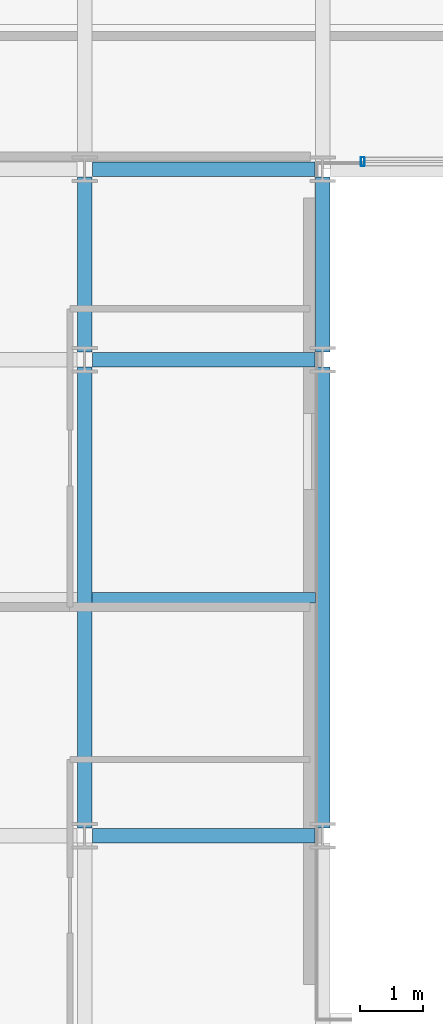
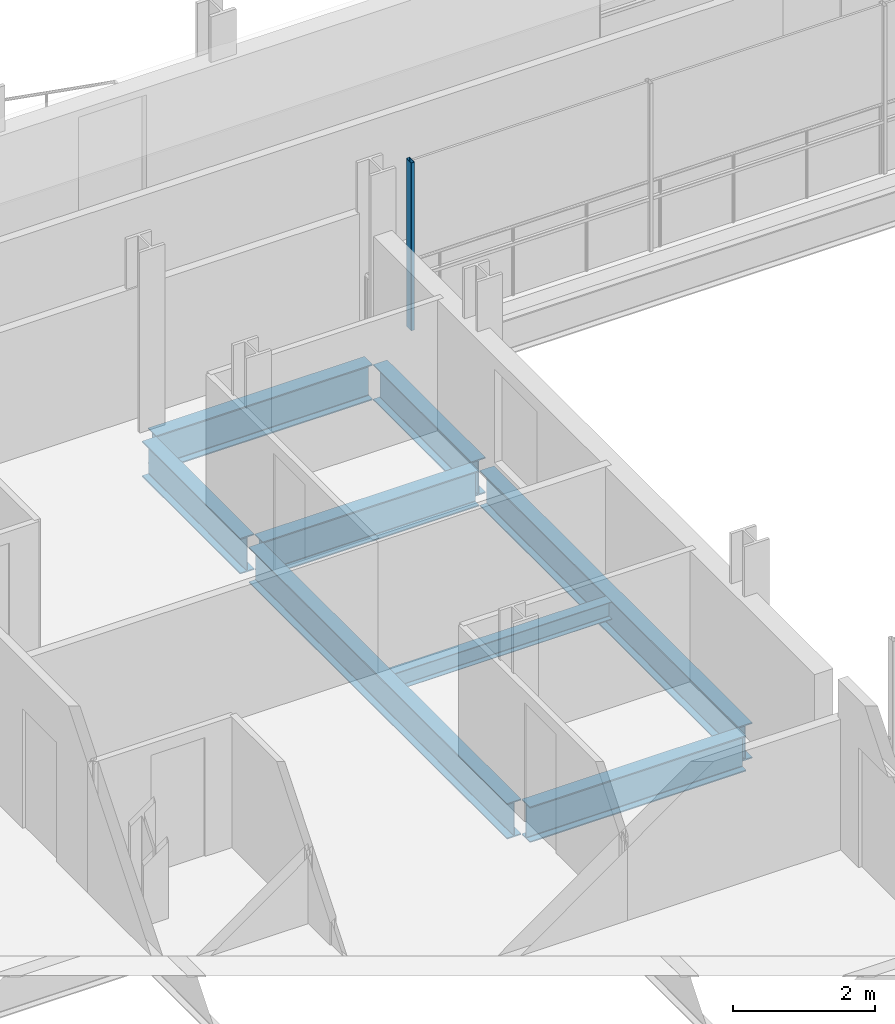
# One storey, part 8 of 39: 8 beams, 1 member, 1 element without a shape of its own.
"""IFC4 building model written with IfcOpenShell, lengths in metres."""

from ifc_helpers import new_model, si_unit, direction, frame, origin, origin_2d, place, context, subcontext, project, spatial, hollow_rectangle, i_section, extrude, material, layer, layer_set, material_profile, profile_set, type_object, element, aggregate, save


model = new_model("IFC4")

# Units and contexts
model_context = context("Model", 3, precision=1e-05, world=origin(), true_north=direction((0.0, 1.0)))
body_context = subcontext(model_context, "Body", "Model", "MODEL_VIEW")
ifc_project = project(units=[si_unit("LENGTHUNIT", "METRE"), si_unit("AREAUNIT", "SQUARE_METRE"), si_unit("VOLUMEUNIT", "CUBIC_METRE"), si_unit("PLANEANGLEUNIT", "RADIAN"), si_unit("MASSUNIT", "GRAM", prefix="KILO")], contexts=[model_context])

# Site, building, storey
site_placement = place(None, origin())
site = spatial("IfcSite", under=ifc_project, at=site_placement, CompositionType="ELEMENT")
building_placement = place(site_placement, origin())
building = spatial("IfcBuilding", under=site, at=building_placement, Name="Brevholm Reach", CompositionType="ELEMENT")
storey_placement = place(building_placement, frame((0.0, 0.0, 109.699951171875)))
storey = spatial("IfcBuildingStorey", under=building, at=storey_placement, Name="L32", CompositionType="ELEMENT", Elevation=109.699951171875)

# Beams
ifc_material_1 = material(Name="Structural Steel S355J2", Category="steel")
ifc_material_profile_1 = material_profile(ifc_material_1, i_section(OverallWidth=0.1650390625, OverallDepth=0.303466796875, WebThickness=0.006103515625, FlangeThickness=0.01025390625, FilletRadius=0.0087890625, at=origin_2d()), Name="UKB 305x165x40")
ifc_profile_set_1 = profile_set([ifc_material_profile_1], Name="Structural Steel S355J2")
beam_type_1 = type_object("IfcBeamType", Name="BM-B305", PredefinedType="BEAM", material=ifc_profile_set_1)
beam_1_placement = place(storey_placement, frame((18.114501953125, 19.75, -0.37158203125), z_axis=(1.0, 0.0, 0.0), x_axis=(0.0, 1.0, 0.0)))
element("IfcBeam", 1, at=beam_1_placement, inside=storey, type_object=beam_type_1, Name="L32 Composite Secondary Floor Beam", PredefinedType="BEAM", context=body_context, shape_type="SweptSolid", body=[
    extrude(i_section(OverallWidth=0.1650390625, OverallDepth=0.303466796875, WebThickness=0.006103515625, FlangeThickness=0.01025390625, FilletRadius=0.0087890625, at=origin_2d()), origin(), (0.0, 0.0, 1.0), 3.52099609375),
])
ifc_material_2 = material(Name="Structural Steel S355J2", Category="steel")
ifc_material_profile_2 = material_profile(ifc_material_2, i_section(OverallWidth=0.22900390625, OverallDepth=0.6123046875, WebThickness=0.011962890625, FlangeThickness=0.01953125, FilletRadius=0.0126953125, at=origin_2d()), Name="UKB 610x229x125")
ifc_profile_set_2 = profile_set([ifc_material_profile_2], Name="Structural Steel S355J2")
beam_type_2 = type_object("IfcBeamType", Name="BM-SP610", PredefinedType="SPANDREL", material=ifc_profile_set_2)
for number, where, z_axis, x_axis, name in (
    (2, (18.1201171875, 16.0, -0.526123046875), (1.0, 0.0, 0.0), (0.0, 1.0, 0.0), "L32 SP-01 Framing Beam"),
    (3, (18.1201171875, 23.5, -0.526123046875), (1.0, 0.0, 0.0), (0.0, 1.0, 0.0), "L32 SP-01 Framing Beam"),
    (4, (18.1201171875, 26.5, -0.526123046875), (1.0, 0.0, 0.0), (0.0, 1.0, 0.0), "L32 SP-01 Framing Beam"),
):
    element("IfcBeam", number, at=place(storey_placement, frame(where, z_axis=z_axis, x_axis=x_axis)), inside=storey, type_object=beam_type_2, Name=name, PredefinedType="SPANDREL", context=body_context, shape_type="SweptSolid", body=[
        extrude(i_section(OverallWidth=0.22900390625, OverallDepth=0.6123046875, WebThickness=0.011962890625, FlangeThickness=0.01953125, FilletRadius=0.0126953125, at=origin_2d()), origin(), (0.0, 0.0, 1.0), 3.509765625),
    ])
beam_2_placement = place(storey_placement, frame((18.0, 16.1201171875, -0.526123046875), z_axis=(0.0, 1.0, 0.0), x_axis=(-1.0, 0.0, 0.0)))
element("IfcBeam", 5, at=beam_2_placement, inside=storey, type_object=beam_type_2, Name="L32 SP-01 Framing Beam", PredefinedType="SPANDREL", context=body_context, shape_type="SweptSolid", body=[
    extrude(i_section(OverallWidth=0.22900390625, OverallDepth=0.6123046875, WebThickness=0.011962890625, FlangeThickness=0.01953125, FilletRadius=0.0126953125, at=origin_2d()), origin(), (0.0, 0.0, 1.0), 7.259765625),
])
beam_3_placement = place(storey_placement, frame((18.0, 23.6201171875, -0.526123046875), z_axis=(0.0, 1.0, 0.0), x_axis=(-1.0, 0.0, 0.0)))
element("IfcBeam", 6, at=beam_3_placement, inside=storey, type_object=beam_type_2, Name="L32 SP-01 Framing Beam", PredefinedType="SPANDREL", context=body_context, shape_type="SweptSolid", body=[
    extrude(i_section(OverallWidth=0.22900390625, OverallDepth=0.6123046875, WebThickness=0.011962890625, FlangeThickness=0.01953125, FilletRadius=0.0126953125, at=origin_2d()), origin(), (0.0, 0.0, 1.0), 2.759765625),
])
beam_4_placement = place(storey_placement, frame((21.75, 16.1201171875, -0.526123046875), z_axis=(0.0, 1.0, 0.0), x_axis=(-1.0, 0.0, 0.0)))
element("IfcBeam", 7, at=beam_4_placement, inside=storey, type_object=beam_type_2, Name="L32 SP-01 Framing Beam", PredefinedType="SPANDREL", context=body_context, shape_type="SweptSolid", body=[
    extrude(i_section(OverallWidth=0.22900390625, OverallDepth=0.6123046875, WebThickness=0.011962890625, FlangeThickness=0.01953125, FilletRadius=0.0126953125, at=origin_2d()), origin(), (0.0, 0.0, 1.0), 7.259765625),
])
beam_5_placement = place(storey_placement, frame((21.75, 23.6201171875, -0.526123046875), z_axis=(0.0, 1.0, 0.0), x_axis=(-1.0, 0.0, 0.0)))
element("IfcBeam", 8, at=beam_5_placement, inside=storey, type_object=beam_type_2, Name="L32 SP-01 Framing Beam", PredefinedType="SPANDREL", context=body_context, shape_type="SweptSolid", body=[
    extrude(i_section(OverallWidth=0.22900390625, OverallDepth=0.6123046875, WebThickness=0.011962890625, FlangeThickness=0.01953125, FilletRadius=0.0126953125, at=origin_2d()), origin(), (0.0, 0.0, 1.0), 2.759765625),
])

# Curtain wall, member
ifc_material_3 = material(Name="Dark Anodised Aluminium 6063-T6 and Solar-Control Glass", Category="aluminium")
ifc_layer = layer(ifc_material_3, 0.139892578125)
ifc_layer_set = layer_set([ifc_layer], Name="Dark Anodised Aluminium 6063-T6 and Solar-Control Glass")
curtain_wall_type = type_object("IfcCurtainWallType", Name="CW-02", PredefinedType="NOTDEFINED", material=ifc_layer_set)
curtain_wall_placement = place(storey_placement, origin())
curtain_wall = element("IfcCurtainWall", 9, at=curtain_wall_placement, inside=storey, type_object=curtain_wall_type, Name="L32 Curtain Wall CW-02", PredefinedType="NOTDEFINED")
ifc_material_4 = material(Name="Dark Anodised Aluminium 6063-T6", Category="aluminium")
ifc_material_profile_3 = material_profile(ifc_material_4, hollow_rectangle(XDim=0.06005859375, YDim=0.139892578125, WallThickness=0.0048828125, InnerFilletRadius=0.0048828125, OuterFilletRadius=0.010009765625, at=origin_2d()), Name="RHS 140x60x5")
ifc_profile_set_3 = profile_set([ifc_material_profile_3], Name="Dark Anodised Aluminium 6063-T6")
member_type = type_object("IfcMemberType", Name="CWM-140", PredefinedType="MULLION", material=ifc_profile_set_3)
member_placement = place(storey_placement, frame((22.3798828125, 26.6201171875, 0.0), z_axis=(0.0, 0.0, 1.0), x_axis=(-1.0, 0.0, 0.0)))
member = element("IfcMember", 10, at=member_placement, type_object=member_type, Name="CM-140 Mullion 5", PredefinedType="MULLION", context=body_context, shape_type="SweptSolid", body=[
    extrude(hollow_rectangle(XDim=0.06005859375, YDim=0.139892578125, WallThickness=0.0048828125, InnerFilletRadius=0.0048828125, OuterFilletRadius=0.010009765625, at=origin_2d()), origin(), (0.0, 0.0, 1.0), 2.880126953125),
])
aggregate(curtain_wall, [member])

save(model, "model.ifc")
